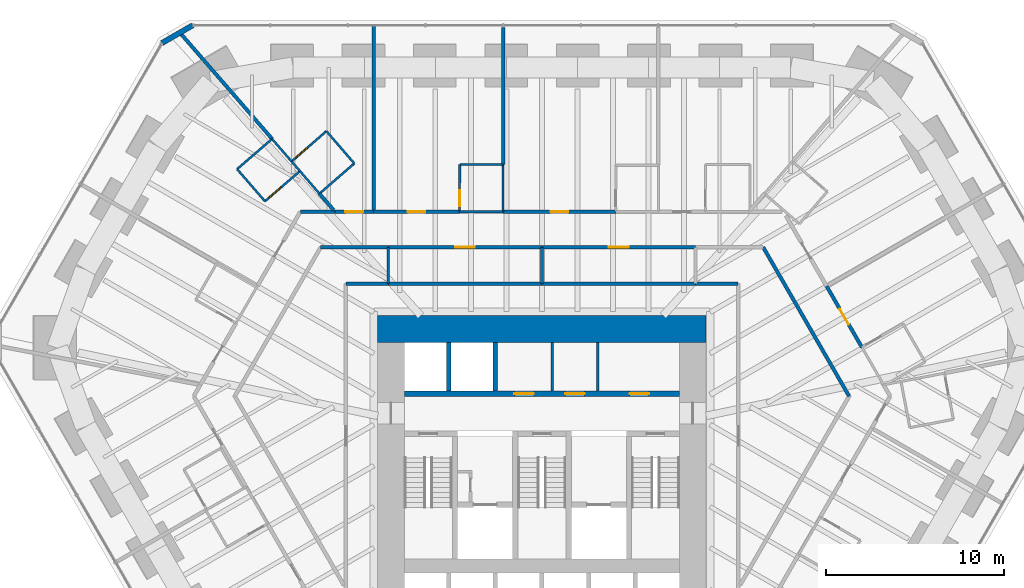
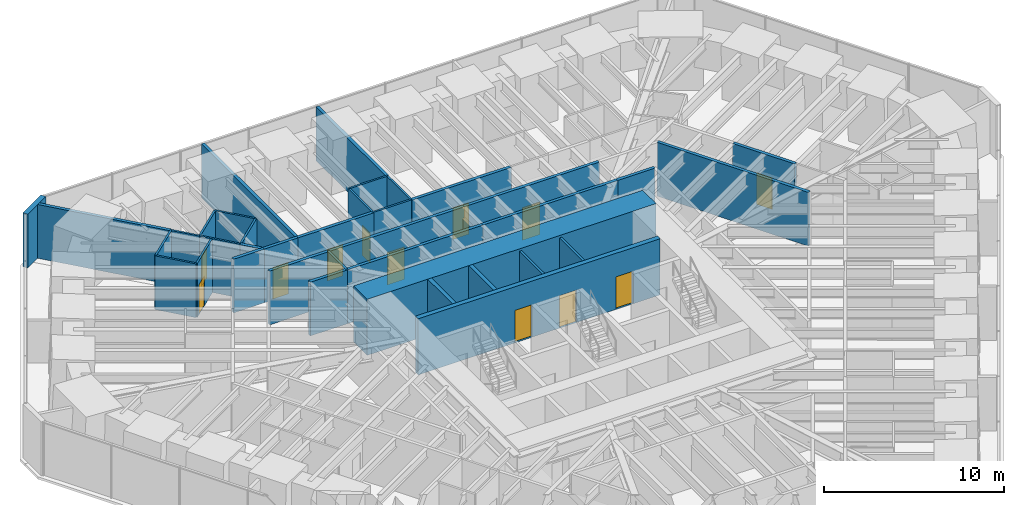
# One storey, part 14 of 17: 39 walls, 12 doors, 12 openings.
"""IFC4 building model written with IfcOpenShell, lengths in metres."""

from ifc_helpers import new_model, si_unit, direction, frame, frame_2d, origin, place, context, subcontext, project, spatial, rectangle, extrude, material, layer, layer_set, type_object, element, fill, save


model = new_model("IFC4")

# Units and contexts
model_context = context("Model", 3, precision=1e-05, world=origin(), true_north=direction((0.0, 1.0)))
body_context = subcontext(model_context, "Body", "Model", "MODEL_VIEW")
ifc_project = project(units=[si_unit("LENGTHUNIT", "METRE"), si_unit("AREAUNIT", "SQUARE_METRE"), si_unit("VOLUMEUNIT", "CUBIC_METRE"), si_unit("PLANEANGLEUNIT", "RADIAN"), si_unit("MASSUNIT", "GRAM", prefix="KILO")], contexts=[model_context])

# Site, building, storey
site_placement = place(None, origin())
site = spatial("IfcSite", under=ifc_project, at=site_placement, CompositionType="ELEMENT")
building_placement = place(site_placement, origin())
building = spatial("IfcBuilding", under=site, at=building_placement, Name="Sandreach Pilgrim Tower", CompositionType="ELEMENT")
storey_placement = place(building_placement, frame((0.0, 0.0, 83.800048828125)))
storey = spatial("IfcBuildingStorey", under=building, at=storey_placement, Name="L20", CompositionType="ELEMENT", Elevation=83.800048828125)

# Walls
ifc_material_1 = material(Name="Gypsum board on steel studs", Category="steel")
ifc_layer_1 = layer(ifc_material_1, 0.14990234375)
ifc_layer_set_1 = layer_set([ifc_layer_1], Name="Back of house wall 150")
wall_type_1 = type_object("IfcWallType", Name="Back of house wall 150", PredefinedType="PARTITIONING", material=ifc_layer_set_1)
wall_1_placement = place(storey_placement, frame((-8.64990234375, 11.449951171875, 0.0), z_axis=(0.0, 0.0, 1.0), x_axis=(0.0, -1.0, 0.0)))
element("IfcWall", 1, at=wall_1_placement, inside=storey, type_object=wall_type_1, Name="Back of house wall L20-053", PredefinedType="PARTITIONING", context=body_context, shape_type="SweptSolid", body=[
    extrude(rectangle(XDim=2.050048828125, YDim=0.14990234375, at=frame_2d((1.02490234375, 0.0))), origin(), (0.0, 0.0, 1.0), 3.639892578125),
])
wall_2_placement = place(storey_placement, frame((0.0, 11.449951171875, 0.0), z_axis=(0.0, 0.0, 1.0), x_axis=(0.0, -1.0, 0.0)))
element("IfcWall", 2, at=wall_2_placement, inside=storey, type_object=wall_type_1, Name="Back of house wall L20-077", PredefinedType="PARTITIONING", context=body_context, shape_type="SweptSolid", body=[
    extrude(rectangle(XDim=2.050048828125, YDim=0.14990234375, at=frame_2d((1.02490234375, 0.0))), origin(), (0.0, 0.0, 1.0), 2.8779296875),
])
for number, where, z_axis, x_axis, name in (
    (3, (0.574951171875, 3.35009765625, 0.0), (0.0, 0.0, 1.0), (0.0, 1.0, 0.0), "Core room partition L20 1"),
    (4, (3.137451171875, 3.35009765625, 0.0), (0.0, 0.0, 1.0), (0.0, 1.0, 0.0), "Core room partition L20 2"),
):
    element("IfcWall", number, at=place(storey_placement, frame(where, z_axis=z_axis, x_axis=x_axis)), inside=storey, type_object=wall_type_1, Name=name, PredefinedType="PARTITIONING", context=body_context, shape_type="SweptSolid", body=[
        extrude(rectangle(XDim=2.75, YDim=0.14990234375, at=frame_2d((1.375, 0.0))), origin(), (0.0, 0.0, 1.0), 3.639892578125),
    ])
ifc_material_2 = material(Name="Moisture-resistant gypsum board on steel studs", Category="steel")
ifc_layer_2 = layer(ifc_material_2, 0.1201171875)
ifc_layer_set_2 = layer_set([ifc_layer_2], Name="Bathroom partition 120")
wall_type_2 = type_object("IfcWallType", Name="Bathroom partition 120", PredefinedType="PARTITIONING", material=ifc_layer_set_2)
wall_3_placement = place(storey_placement, frame((-17.169921875, 15.85009765625, 0.0), z_axis=(0.0, 0.0, 1.0), x_axis=(0.655194291402, -0.755460416245, 0.0)))
element("IfcWall", 5, at=wall_3_placement, inside=storey, type_object=wall_type_2, Name="Bathroom partition L20-019", PredefinedType="PARTITIONING", context=body_context, shape_type="SweptSolid", body=[
    extrude(rectangle(XDim=2.39599609375, YDim=0.1201171875, at=frame_2d((1.197998046875, 0.0))), origin(), (0.0, 0.0, 1.0), 3.639892578125),
])

# Wall, opening, door
wall_4_placement = place(storey_placement, frame((-15.60009765625, 14.0400390625, 0.0), z_axis=(0.0, 0.0, 1.0), x_axis=(0.757126702698, 0.653268058351, 0.0)))
wall_4 = element("IfcWall", 6, at=wall_4_placement, inside=storey, type_object=wall_type_2, Name="Bathroom partition L20-024", PredefinedType="PARTITIONING", context=body_context, shape_type="SweptSolid", body=[
    extrude(rectangle(XDim=2.602294921875, YDim=0.1201171875, at=frame_2d((1.30126953125, 0.0))), origin(), (0.0, 0.0, 1.0), 3.639892578125),
])
opening_1_placement = place(wall_4_placement, frame((0.300048828125, 0.0, 0.0)))
opening_1 = element("IfcOpeningElement", 7, at=opening_1_placement, cuts=wall_4, Name="Opening D09-18B", PredefinedType="OPENING", context=body_context, shape_type="SweptSolid", body=[
    extrude(rectangle(XDim=0.89990234375, YDim=2.030029296875, at=frame_2d((0.449951171875, 1.01513671875))), frame((0.0, 0.06005859375, 0.0), z_axis=(0.0, -1.0, 0.0), x_axis=(1.0, 0.0, 0.0)), (0.0, 0.0, 1.0), 0.1201171875),
])
ifc_material_3 = material(Name="Timber door, steel frame", Category="steel")
door_type_1 = type_object("IfcDoorType", Name="Bathroom door", OperationType="SINGLE_SWING_LEFT", PredefinedType="DOOR", material=ifc_material_3)
door_1_placement = place(opening_1_placement, origin())
door_1 = element("IfcDoor", 8, at=door_1_placement, inside=storey, type_object=door_type_1, Name="Door 2018B", OperationType="SINGLE_SWING_LEFT", OverallHeight=2.030029296875, OverallWidth=0.89990234375, PredefinedType="DOOR", context=body_context, shape_type="SweptSolid", body=[
    extrude(rectangle(XDim=0.89990234375, YDim=2.030029296875, at=frame_2d((0.449951171875, 1.01513671875))), frame((0.0, 0.02490234375, 0.0), z_axis=(0.0, -1.0, 0.0), x_axis=(1.0, 0.0, 0.0)), (0.0, 0.0, 1.0), 0.050048828125),
])
fill(opening_1, door_1)

# Walls
wall_5_placement = place(storey_placement, frame((-15.199951171875, 17.550048828125, 0.0), z_axis=(0.0, 0.0, 1.0), x_axis=(-0.757086659925, -0.653314464377, 0.0)))
element("IfcWall", 9, at=wall_5_placement, inside=storey, type_object=wall_type_2, Name="Bathroom partition L20-026", PredefinedType="PARTITIONING", context=body_context, shape_type="SweptSolid", body=[
    extrude(rectangle(XDim=2.60205078125, YDim=0.1201171875, at=frame_2d((1.301025390625, 0.0))), origin(), (0.0, 0.0, 1.0), 3.639892578125),
])
wall_6_placement = place(storey_placement, frame((-15.199951171875, 17.550048828125, 0.0), z_axis=(0.0, 0.0, 1.0), x_axis=(0.654648343784, -0.755933559237, 0.0)))
element("IfcWall", 10, at=wall_6_placement, inside=storey, type_object=wall_type_2, Name="Bathroom partition L20-027", PredefinedType="PARTITIONING", context=body_context, shape_type="SweptSolid", body=[
    extrude(rectangle(XDim=1.68017578125, YDim=0.1201171875, at=frame_2d((0.840087890625, 0.0))), origin(), (0.0, 0.0, 1.0), 3.639892578125),
])
wall_7_placement = place(storey_placement, frame((-14.10009765625, 16.280029296875, 0.0), z_axis=(0.0, 0.0, 1.0), x_axis=(0.656668163725, -0.754179635597, 0.0)))
element("IfcWall", 11, at=wall_7_placement, inside=storey, type_object=wall_type_2, Name="Bathroom partition L20-031", PredefinedType="PARTITIONING", context=body_context, shape_type="SweptSolid", body=[
    extrude(rectangle(XDim=0.716064453125, YDim=0.1201171875, at=frame_2d((0.35791015625, 0.0))), origin(), (0.0, 0.0, 1.0), 3.639892578125),
])
wall_8_placement = place(storey_placement, frame((-13.630126953125, 15.739990234375, 0.0), z_axis=(0.0, 0.0, 1.0), x_axis=(0.654028355274, -0.756470032783, 0.0)))
element("IfcWall", 12, at=wall_8_placement, inside=storey, type_object=wall_type_2, Name="Bathroom partition L20-032", PredefinedType="PARTITIONING", context=body_context, shape_type="SweptSolid", body=[
    extrude(rectangle(XDim=1.68017578125, YDim=0.1201171875, at=frame_2d((0.840087890625, 0.0))), origin(), (0.0, 0.0, 1.0), 3.639892578125),
])
wall_9_placement = place(storey_placement, frame((-12.530029296875, 14.469970703125, 0.0), z_axis=(0.0, 0.0, 1.0), x_axis=(0.755437535555, 0.655220672655, 0.0)))
element("IfcWall", 13, at=wall_9_placement, inside=storey, type_object=wall_type_2, Name="Bathroom partition L20-037", PredefinedType="PARTITIONING", context=body_context, shape_type="SweptSolid", body=[
    extrude(rectangle(XDim=2.594482421875, YDim=0.1201171875, at=frame_2d((1.29736328125, 0.0))), origin(), (0.0, 0.0, 1.0), 3.639892578125),
])

# Wall, opening, door
wall_10_placement = place(storey_placement, frame((-12.139892578125, 17.989990234375, 0.0), z_axis=(0.0, 0.0, 1.0), x_axis=(-0.753570046386, -0.657367617996, 0.0)))
wall_10 = element("IfcWall", 14, at=wall_10_placement, inside=storey, type_object=wall_type_2, Name="Bathroom partition L20-040", PredefinedType="PARTITIONING", context=body_context, shape_type="SweptSolid", body=[
    extrude(rectangle(XDim=2.601318359375, YDim=0.1201171875, at=frame_2d((1.30078125, 0.0))), origin(), (0.0, 0.0, 1.0), 3.639892578125),
])
opening_2_placement = place(wall_10_placement, frame((1.401123046875, 0.0, 0.0)))
opening_2 = element("IfcOpeningElement", 15, at=opening_2_placement, cuts=wall_10, Name="Opening D09-01B", PredefinedType="OPENING", context=body_context, shape_type="SweptSolid", body=[
    extrude(rectangle(XDim=0.89990234375, YDim=2.030029296875, at=frame_2d((0.449951171875, 1.01513671875))), frame((0.0, 0.06005859375, 0.0), z_axis=(0.0, -1.0, 0.0), x_axis=(1.0, 0.0, 0.0)), (0.0, 0.0, 1.0), 0.1201171875),
])
door_2_placement = place(opening_2_placement, origin())
door_2 = element("IfcDoor", 16, at=door_2_placement, inside=storey, type_object=door_type_1, Name="Door 2001B", OperationType="SINGLE_SWING_RIGHT", OverallHeight=2.030029296875, OverallWidth=0.89990234375, PredefinedType="DOOR", context=body_context, shape_type="SweptSolid", body=[
    extrude(rectangle(XDim=0.89990234375, YDim=2.030029296875, at=frame_2d((0.449951171875, 1.01513671875))), frame((0.0, 0.02490234375, 0.0), z_axis=(0.0, -1.0, 0.0), x_axis=(1.0, 0.0, 0.0)), (0.0, 0.0, 1.0), 0.050048828125),
])
fill(opening_2, door_2)

# Wall
wall_11_placement = place(storey_placement, frame((-10.570068359375, 16.169921875, 0.0), z_axis=(0.0, 0.0, 1.0), x_axis=(-0.653130488449, 0.757245379687, 0.0)))
element("IfcWall", 17, at=wall_11_placement, inside=storey, type_object=wall_type_2, Name="Bathroom partition L20-047", PredefinedType="PARTITIONING", context=body_context, shape_type="SweptSolid", body=[
    extrude(rectangle(XDim=2.403564453125, YDim=0.1201171875, at=frame_2d((1.20166015625, 0.0))), origin(), (0.0, 0.0, 1.0), 3.639892578125),
])

# Wall, opening, door
wall_12_placement = place(storey_placement, frame((-4.6298828125, 16.110107421875, 0.0), z_axis=(0.0, 0.0, 1.0), x_axis=(-0.003762822113, -0.99999292056, 0.0)))
wall_12 = element("IfcWall", 18, at=wall_12_placement, inside=storey, type_object=wall_type_2, Name="Bathroom partition L20-059", PredefinedType="PARTITIONING", context=body_context, shape_type="SweptSolid", body=[
    extrude(rectangle(XDim=2.66015625, YDim=0.1201171875, at=frame_2d((1.330078125, 0.0))), origin(), (0.0, 0.0, 1.0), 3.639892578125),
])
opening_3_placement = place(wall_12_placement, frame((1.4599609375, 0.0, 0.0)))
opening_3 = element("IfcOpeningElement", 19, at=opening_3_placement, cuts=wall_12, Name="Opening D09-02B", PredefinedType="OPENING", context=body_context, shape_type="SweptSolid", body=[
    extrude(rectangle(XDim=0.89990234375, YDim=2.030029296875, at=frame_2d((0.449951171875, 1.01513671875))), frame((0.0, 0.06005859375, 0.0), z_axis=(0.0, -1.0, 0.0), x_axis=(1.0, 0.0, 0.0)), (0.0, 0.0, 1.0), 0.1201171875),
])
door_3_placement = place(opening_3_placement, origin())
door_3 = element("IfcDoor", 20, at=door_3_placement, inside=storey, type_object=door_type_1, Name="Door 2002B", OperationType="SINGLE_SWING_RIGHT", OverallHeight=2.030029296875, OverallWidth=0.89990234375, PredefinedType="DOOR", context=body_context, shape_type="SweptSolid", body=[
    extrude(rectangle(XDim=0.89990234375, YDim=2.030029296875, at=frame_2d((0.449951171875, 1.01513671875))), frame((0.0, 0.02490234375, 0.0), z_axis=(0.0, -1.0, 0.0), x_axis=(1.0, 0.0, 0.0)), (0.0, 0.0, 1.0), 0.050048828125),
])
fill(opening_3, door_3)

# Walls
wall_13_placement = place(storey_placement, frame((-2.18994140625, 13.449951171875, 0.0), z_axis=(0.0, 0.0, 1.0), x_axis=(-1.0, 0.0, 0.0)))
element("IfcWall", 21, at=wall_13_placement, inside=storey, type_object=wall_type_2, Name="Bathroom partition L20-065", PredefinedType="PARTITIONING", context=body_context, shape_type="SweptSolid", body=[
    extrude(rectangle(XDim=2.449951171875, YDim=0.1201171875, at=frame_2d((1.22509765625, 0.0))), origin(), (0.0, 0.0, 1.0), 3.639892578125),
])
wall_14_placement = place(storey_placement, frame((-2.18994140625, 16.10009765625, 0.0), z_axis=(0.0, 0.0, 1.0), x_axis=(-0.999991585011, 0.004102426955, 0.0)))
element("IfcWall", 22, at=wall_14_placement, inside=storey, type_object=wall_type_2, Name="Bathroom partition L20-066", PredefinedType="PARTITIONING", context=body_context, shape_type="SweptSolid", body=[
    extrude(rectangle(XDim=2.43994140625, YDim=0.1201171875, at=frame_2d((1.219970703125, 0.0))), origin(), (0.0, 0.0, 1.0), 3.639892578125),
])
wall_15_placement = place(storey_placement, frame((-2.18994140625, 16.10009765625, 0.0), z_axis=(0.0, 0.0, 1.0), x_axis=(0.0, -1.0, 0.0)))
element("IfcWall", 23, at=wall_15_placement, inside=storey, type_object=wall_type_2, Name="Bathroom partition L20-067", PredefinedType="PARTITIONING", context=body_context, shape_type="SweptSolid", body=[
    extrude(rectangle(XDim=2.650146484375, YDim=0.1201171875, at=frame_2d((1.3251953125, 0.0))), origin(), (0.0, 0.0, 1.0), 3.639892578125),
])

# Wall, openings, doors
ifc_material_4 = material(Name="Concrete 10000 psi", Category="concrete")
ifc_layer_3 = layer(ifc_material_4, 0.300048828125)
ifc_layer_set_3 = layer_set([ifc_layer_3], Name="Core inner wall 300")
wall_type_3 = type_object("IfcWallType", Name="Core inner wall 300", PredefinedType="SHEAR", material=ifc_layer_set_3)
wall_16_placement = place(storey_placement, frame((-7.75, 3.199951171875, 0.0), z_axis=(0.0, 0.0, 1.0), x_axis=(1.0, 0.0, 0.0)))
wall_16 = element("IfcWall", 24, at=wall_16_placement, inside=storey, type_object=wall_type_3, Name="Core wall PN L20", PredefinedType="SHEAR", context=body_context, shape_type="SweptSolid", body=[
    extrude(rectangle(XDim=15.5, YDim=0.300048828125, at=frame_2d((7.75, 0.0))), origin(), (0.0, 0.0, 1.0), 3.800048828125),
])
opening_4_placement = place(wall_16_placement, frame((6.199951171875, 0.0, 0.0)))
opening_4 = element("IfcOpeningElement", 25, at=opening_4_placement, cuts=wall_16, Name="Opening D11L", PredefinedType="OPENING", context=body_context, shape_type="SweptSolid", body=[
    extrude(rectangle(XDim=1.10009765625, YDim=2.199951171875, at=frame_2d((0.550048828125, 1.10009765625))), frame((0.0, 0.14990234375, 0.0), z_axis=(0.0, -1.0, 0.0), x_axis=(1.0, 0.0, 0.0)), (0.0, 0.0, 1.0), 0.300048828125),
])
opening_5_placement = place(wall_16_placement, frame((9.05615234375, 0.0, 0.0)))
opening_5 = element("IfcOpeningElement", 26, at=opening_5_placement, cuts=wall_16, Name="Opening D11L", PredefinedType="OPENING", context=body_context, shape_type="SweptSolid", body=[
    extrude(rectangle(XDim=1.10009765625, YDim=2.199951171875, at=frame_2d((0.550048828125, 1.10009765625))), frame((0.0, 0.14990234375, 0.0), z_axis=(0.0, -1.0, 0.0), x_axis=(1.0, 0.0, 0.0)), (0.0, 0.0, 1.0), 0.300048828125),
])
opening_6_placement = place(wall_16_placement, frame((12.68115234375, 0.0, 0.0)))
opening_6 = element("IfcOpeningElement", 27, at=opening_6_placement, cuts=wall_16, Name="Opening D11L", PredefinedType="OPENING", context=body_context, shape_type="SweptSolid", body=[
    extrude(rectangle(XDim=1.10009765625, YDim=2.199951171875, at=frame_2d((0.550048828125, 1.10009765625))), frame((0.0, 0.14990234375, 0.0), z_axis=(0.0, -1.0, 0.0), x_axis=(1.0, 0.0, 0.0)), (0.0, 0.0, 1.0), 0.300048828125),
])
ifc_material_5 = material(Name="Steel door and frame, smoke seals", Category="steel")
door_type_2 = type_object("IfcDoorType", Name="Core room door", OperationType="SINGLE_SWING_LEFT", PredefinedType="DOOR", material=ifc_material_5)
door_4_placement = place(opening_4_placement, origin())
door_4 = element("IfcDoor", 28, at=door_4_placement, inside=storey, type_object=door_type_2, Name="Door linen and housekeeping store 20K1", OperationType="SINGLE_SWING_LEFT", OverallHeight=2.199951171875, OverallWidth=1.10009765625, PredefinedType="DOOR", context=body_context, shape_type="SweptSolid", body=[
    extrude(rectangle(XDim=1.10009765625, YDim=2.199951171875, at=frame_2d((0.550048828125, 1.10009765625))), frame((0.0, 0.02490234375, 0.0), z_axis=(0.0, -1.0, 0.0), x_axis=(1.0, 0.0, 0.0)), (0.0, 0.0, 1.0), 0.050048828125),
])
fill(opening_4, door_4)
door_5_placement = place(opening_5_placement, origin())
door_5 = element("IfcDoor", 29, at=door_5_placement, inside=storey, type_object=door_type_2, Name="Door cleaners store 20K2", OperationType="SINGLE_SWING_RIGHT", OverallHeight=2.199951171875, OverallWidth=1.10009765625, PredefinedType="DOOR", context=body_context, shape_type="SweptSolid", body=[
    extrude(rectangle(XDim=1.10009765625, YDim=2.199951171875, at=frame_2d((0.550048828125, 1.10009765625))), frame((0.0, 0.02490234375, 0.0), z_axis=(0.0, -1.0, 0.0), x_axis=(1.0, 0.0, 0.0)), (0.0, 0.0, 1.0), 0.050048828125),
])
fill(opening_5, door_5)
door_6_placement = place(opening_6_placement, origin())
door_6 = element("IfcDoor", 30, at=door_6_placement, inside=storey, type_object=door_type_2, Name="Door storage room 20K3", OperationType="SINGLE_SWING_RIGHT", OverallHeight=2.199951171875, OverallWidth=1.10009765625, PredefinedType="DOOR", context=body_context, shape_type="SweptSolid", body=[
    extrude(rectangle(XDim=1.10009765625, YDim=2.199951171875, at=frame_2d((0.550048828125, 1.10009765625))), frame((0.0, 0.02490234375, 0.0), z_axis=(0.0, -1.0, 0.0), x_axis=(1.0, 0.0, 0.0)), (0.0, 0.0, 1.0), 0.050048828125),
])
fill(opening_6, door_6)

# Walls
ifc_material_6 = material(Name="Concrete 10000 psi", Category="concrete")
ifc_layer_4 = layer(ifc_material_6, 1.5)
ifc_layer_set_4 = layer_set([ifc_layer_4], Name="Core wall 1500")
wall_type_4 = type_object("IfcWallType", Name="Core wall 1500", PredefinedType="SHEAR", material=ifc_layer_set_4)
wall_17_placement = place(storey_placement, frame((-9.25, 6.85009765625, 0.0), z_axis=(0.0, 0.0, 1.0), x_axis=(1.0, 0.0, 0.0)))
element("IfcWall", 31, at=wall_17_placement, inside=storey, type_object=wall_type_4, Name="Core wall N L20", PredefinedType="SHEAR", context=body_context, shape_type="SweptSolid", body=[
    extrude(rectangle(XDim=18.5, YDim=1.5, at=frame_2d((9.25, 0.0))), origin(), (0.0, 0.0, 1.0), 3.800048828125),
])
ifc_material_7 = material(Name="Gypsum board on steel studs, two layers each side", Category="steel")
ifc_layer_5 = layer(ifc_material_7, 0.199951171875)
ifc_layer_set_5 = layer_set([ifc_layer_5], Name="Corridor wall 200")
wall_type_5 = type_object("IfcWallType", Name="Corridor wall 200", PredefinedType="PARTITIONING", material=ifc_layer_set_5)
wall_18_placement = place(storey_placement, frame((-12.4599609375, 11.449951171875, 0.0), z_axis=(0.0, 0.0, 1.0), x_axis=(1.0, 0.0, 0.0)))
element("IfcWall", 32, at=wall_18_placement, inside=storey, type_object=wall_type_5, Name="Corridor wall L20-038", PredefinedType="PARTITIONING", context=body_context, shape_type="SweptSolid", body=[
    extrude(rectangle(XDim=3.81005859375, YDim=0.199951171875, at=frame_2d((1.905029296875, 0.0))), origin(), (0.0, 0.0, 1.0), 3.639892578125),
])
wall_19_placement = place(storey_placement, frame((-11.64990234375, 13.449951171875, 0.0), z_axis=(0.0, 0.0, 1.0), x_axis=(-1.0, 0.0, 0.0)))
element("IfcWall", 33, at=wall_19_placement, inside=storey, type_object=wall_type_5, Name="Corridor wall L20-041", PredefinedType="PARTITIONING", context=body_context, shape_type="SweptSolid", body=[
    extrude(rectangle(XDim=1.960205078125, YDim=0.199951171875, at=frame_2d((0.97998046875, 0.0))), origin(), (0.0, 0.0, 1.0), 3.639892578125),
])

# Wall, opening, door
wall_20_placement = place(storey_placement, frame((-9.47998046875, 13.449951171875, 0.0), z_axis=(0.0, 0.0, 1.0), x_axis=(-1.0, 0.0, 0.0)))
wall_20 = element("IfcWall", 34, at=wall_20_placement, inside=storey, type_object=wall_type_5, Name="Corridor wall L20-049", PredefinedType="PARTITIONING", context=body_context, shape_type="SweptSolid", body=[
    extrude(rectangle(XDim=2.169921875, YDim=0.199951171875, at=frame_2d((1.0849609375, 0.0))), origin(), (0.0, 0.0, 1.0), 3.639892578125),
])
opening_7_placement = place(wall_20_placement, frame((0.5849609375, 0.0, 0.0)))
opening_7 = element("IfcOpeningElement", 35, at=opening_7_placement, cuts=wall_20, Name="Opening D10-01", PredefinedType="OPENING", context=body_context, shape_type="SweptSolid", body=[
    extrude(rectangle(XDim=1.0, YDim=2.1298828125, at=frame_2d((0.5, 1.06494140625))), frame((0.0, 0.10009765625, 0.0), z_axis=(0.0, -1.0, 0.0), x_axis=(1.0, 0.0, 0.0)), (0.0, 0.0, 1.0), 0.199951171875),
])
ifc_material_8 = material(Name="Steel door and frame", Category="steel")
door_type_3 = type_object("IfcDoorType", Name="Guest room entry door", OperationType="SINGLE_SWING_LEFT", PredefinedType="DOOR", material=ifc_material_8)
door_7_placement = place(opening_7_placement, origin())
door_7 = element("IfcDoor", 36, at=door_7_placement, inside=storey, type_object=door_type_3, Name="Door 2001", OperationType="SINGLE_SWING_LEFT", OverallHeight=2.1298828125, OverallWidth=1.0, PredefinedType="DOOR", context=body_context, shape_type="SweptSolid", body=[
    extrude(rectangle(XDim=1.0, YDim=2.1298828125, at=frame_2d((0.5, 1.06494140625))), frame((0.0, 0.02490234375, 0.0), z_axis=(0.0, -1.0, 0.0), x_axis=(1.0, 0.0, 0.0)), (0.0, 0.0, 1.0), 0.050048828125),
])
fill(opening_7, door_7)

# Wall
wall_21_placement = place(storey_placement, frame((-8.64990234375, 9.39990234375, 0.0), z_axis=(0.0, 0.0, 1.0), x_axis=(-1.0, 0.0, 0.0)))
element("IfcWall", 37, at=wall_21_placement, inside=storey, type_object=wall_type_5, Name="Corridor wall L20-052", PredefinedType="PARTITIONING", context=body_context, shape_type="SweptSolid", body=[
    extrude(rectangle(XDim=2.39013671875, YDim=0.199951171875, at=frame_2d((1.195068359375, 0.0))), origin(), (0.0, 0.0, 1.0), 3.639892578125),
])

# Wall, opening, door
wall_22_placement = place(storey_placement, frame((-8.64990234375, 11.449951171875, 0.0), z_axis=(0.0, 0.0, 1.0), x_axis=(1.0, 0.0, 0.0)))
wall_22 = element("IfcWall", 38, at=wall_22_placement, inside=storey, type_object=wall_type_5, Name="Corridor wall L20-054", PredefinedType="PARTITIONING", context=body_context, shape_type="SweptSolid", body=[
    extrude(rectangle(XDim=8.64990234375, YDim=0.199951171875, at=frame_2d((4.324951171875, 0.0))), origin(), (0.0, 0.0, 1.0), 3.639892578125),
])
opening_8_placement = place(wall_22_placement, frame((3.77490234375, 0.0, 0.0)))
opening_8 = element("IfcOpeningElement", 39, at=opening_8_placement, cuts=wall_22, Name="Opening D11H-M02", PredefinedType="OPENING", context=body_context, shape_type="SweptSolid", body=[
    extrude(rectangle(XDim=1.10009765625, YDim=2.199951171875, at=frame_2d((0.550048828125, 1.10009765625))), frame((0.0, 0.10009765625, 0.0), z_axis=(0.0, -1.0, 0.0), x_axis=(1.0, 0.0, 0.0)), (0.0, 0.0, 1.0), 0.199951171875),
])
ifc_material_9 = material(Name="Steel door and frame", Category="steel")
door_type_4 = type_object("IfcDoorType", Name="Back of house door", OperationType="SINGLE_SWING_LEFT", PredefinedType="DOOR", material=ifc_material_9)
door_8_placement = place(opening_8_placement, origin())
door_8 = element("IfcDoor", 40, at=door_8_placement, inside=storey, type_object=door_type_4, Name="Door 20M02", OperationType="SINGLE_SWING_LEFT", OverallHeight=2.199951171875, OverallWidth=1.10009765625, PredefinedType="DOOR", context=body_context, shape_type="SweptSolid", body=[
    extrude(rectangle(XDim=1.10009765625, YDim=2.199951171875, at=frame_2d((0.550048828125, 1.10009765625))), frame((0.0, 0.02490234375, 0.0), z_axis=(0.0, -1.0, 0.0), x_axis=(1.0, 0.0, 0.0)), (0.0, 0.0, 1.0), 0.050048828125),
])
fill(opening_8, door_8)

wall_23_placement = place(storey_placement, frame((-4.639892578125, 13.449951171875, 0.0), z_axis=(0.0, 0.0, 1.0), x_axis=(-1.0, 0.0, 0.0)))
wall_23 = element("IfcWall", 41, at=wall_23_placement, inside=storey, type_object=wall_type_5, Name="Corridor wall L20-058", PredefinedType="PARTITIONING", context=body_context, shape_type="SweptSolid", body=[
    extrude(rectangle(XDim=4.840087890625, YDim=0.199951171875, at=frame_2d((2.419921875, 0.0))), origin(), (0.0, 0.0, 1.0), 3.639892578125),
])
opening_9_placement = place(wall_23_placement, frame((1.919921875, 0.0, 0.0)))
opening_9 = element("IfcOpeningElement", 42, at=opening_9_placement, cuts=wall_23, Name="Opening D10-02", PredefinedType="OPENING", context=body_context, shape_type="SweptSolid", body=[
    extrude(rectangle(XDim=1.0, YDim=2.1298828125, at=frame_2d((0.5, 1.06494140625))), frame((0.0, 0.10009765625, 0.0), z_axis=(0.0, -1.0, 0.0), x_axis=(1.0, 0.0, 0.0)), (0.0, 0.0, 1.0), 0.199951171875),
])
door_9_placement = place(opening_9_placement, origin())
door_9 = element("IfcDoor", 43, at=door_9_placement, inside=storey, type_object=door_type_3, Name="Door 2002", OperationType="SINGLE_SWING_LEFT", OverallHeight=2.1298828125, OverallWidth=1.0, PredefinedType="DOOR", context=body_context, shape_type="SweptSolid", body=[
    extrude(rectangle(XDim=1.0, YDim=2.1298828125, at=frame_2d((0.5, 1.06494140625))), frame((0.0, 0.02490234375, 0.0), z_axis=(0.0, -1.0, 0.0), x_axis=(1.0, 0.0, 0.0)), (0.0, 0.0, 1.0), 0.050048828125),
])
fill(opening_9, door_9)

# Wall
wall_24_placement = place(storey_placement, frame((0.0, 9.39990234375, 0.0), z_axis=(0.0, 0.0, 1.0), x_axis=(-1.0, 0.0, 0.0)))
element("IfcWall", 44, at=wall_24_placement, inside=storey, type_object=wall_type_5, Name="Corridor wall L20-076", PredefinedType="PARTITIONING", context=body_context, shape_type="SweptSolid", body=[
    extrude(rectangle(XDim=8.64990234375, YDim=0.199951171875, at=frame_2d((4.324951171875, 0.0))), origin(), (0.0, 0.0, 1.0), 3.639892578125),
])

# Wall, opening, door
wall_25_placement = place(storey_placement, frame((0.0, 11.449951171875, 0.0), z_axis=(0.0, 0.0, 1.0), x_axis=(1.0, 0.0, 0.0)))
wall_25 = element("IfcWall", 45, at=wall_25_placement, inside=storey, type_object=wall_type_5, Name="Corridor wall L20-078", PredefinedType="PARTITIONING", context=body_context, shape_type="SweptSolid", body=[
    extrude(rectangle(XDim=8.64990234375, YDim=0.199951171875, at=frame_2d((4.324951171875, 0.0))), origin(), (0.0, 0.0, 1.0), 3.639892578125),
])
opening_10_placement = place(wall_25_placement, frame((3.77490234375, 0.0, 0.0)))
opening_10 = element("IfcOpeningElement", 46, at=opening_10_placement, cuts=wall_25, Name="Opening D11H-M03", PredefinedType="OPENING", context=body_context, shape_type="SweptSolid", body=[
    extrude(rectangle(XDim=1.10009765625, YDim=2.199951171875, at=frame_2d((0.550048828125, 1.10009765625))), frame((0.0, 0.10009765625, 0.0), z_axis=(0.0, -1.0, 0.0), x_axis=(1.0, 0.0, 0.0)), (0.0, 0.0, 1.0), 0.199951171875),
])
door_10_placement = place(opening_10_placement, origin())
door_10 = element("IfcDoor", 47, at=door_10_placement, inside=storey, type_object=door_type_4, Name="Door 20M03", OperationType="SINGLE_SWING_LEFT", OverallHeight=2.199951171875, OverallWidth=1.10009765625, PredefinedType="DOOR", context=body_context, shape_type="SweptSolid", body=[
    extrude(rectangle(XDim=1.10009765625, YDim=2.199951171875, at=frame_2d((0.550048828125, 1.10009765625))), frame((0.0, 0.02490234375, 0.0), z_axis=(0.0, -1.0, 0.0), x_axis=(1.0, 0.0, 0.0)), (0.0, 0.0, 1.0), 0.050048828125),
])
fill(opening_10, door_10)

wall_26_placement = place(storey_placement, frame((4.159912109375, 13.449951171875, 0.0), z_axis=(0.0, 0.0, 1.0), x_axis=(-1.0, 0.0, 0.0)))
wall_26 = element("IfcWall", 48, at=wall_26_placement, inside=storey, type_object=wall_type_5, Name="Corridor wall L20-084", PredefinedType="PARTITIONING", context=body_context, shape_type="SweptSolid", body=[
    extrude(rectangle(XDim=6.349853515625, YDim=0.199951171875, at=frame_2d((3.1748046875, 0.0))), origin(), (0.0, 0.0, 1.0), 3.639892578125),
])
opening_11_placement = place(wall_26_placement, frame((2.675048828125, 0.0, 0.0)))
opening_11 = element("IfcOpeningElement", 49, at=opening_11_placement, cuts=wall_26, Name="Opening D10-03", PredefinedType="OPENING", context=body_context, shape_type="SweptSolid", body=[
    extrude(rectangle(XDim=1.0, YDim=2.1298828125, at=frame_2d((0.5, 1.06494140625))), frame((0.0, 0.10009765625, 0.0), z_axis=(0.0, -1.0, 0.0), x_axis=(1.0, 0.0, 0.0)), (0.0, 0.0, 1.0), 0.199951171875),
])
door_11_placement = place(opening_11_placement, origin())
door_11 = element("IfcDoor", 50, at=door_11_placement, inside=storey, type_object=door_type_3, Name="Door 2003", OperationType="SINGLE_SWING_LEFT", OverallHeight=2.1298828125, OverallWidth=1.0, PredefinedType="DOOR", context=body_context, shape_type="SweptSolid", body=[
    extrude(rectangle(XDim=1.0, YDim=2.1298828125, at=frame_2d((0.5, 1.06494140625))), frame((0.0, 0.02490234375, 0.0), z_axis=(0.0, -1.0, 0.0), x_axis=(1.0, 0.0, 0.0)), (0.0, 0.0, 1.0), 0.050048828125),
])
fill(opening_11, door_11)

# Walls
wall_27_placement = place(storey_placement, frame((8.64990234375, 9.39990234375, 0.0), z_axis=(0.0, 0.0, 1.0), x_axis=(-1.0, 0.0, 0.0)))
element("IfcWall", 51, at=wall_27_placement, inside=storey, type_object=wall_type_5, Name="Corridor wall L20-102", PredefinedType="PARTITIONING", context=body_context, shape_type="SweptSolid", body=[
    extrude(rectangle(XDim=8.64990234375, YDim=0.199951171875, at=frame_2d((4.324951171875, 0.0))), origin(), (0.0, 0.0, 1.0), 3.639892578125),
])
wall_28_placement = place(storey_placement, frame((11.0400390625, 9.39990234375, 0.0), z_axis=(0.0, 0.0, 1.0), x_axis=(-1.0, 0.0, 0.0)))
element("IfcWall", 52, at=wall_28_placement, inside=storey, type_object=wall_type_5, Name="Corridor wall L20-111", PredefinedType="PARTITIONING", context=body_context, shape_type="SweptSolid", body=[
    extrude(rectangle(XDim=2.39013671875, YDim=0.199951171875, at=frame_2d((1.195068359375, 0.0))), origin(), (0.0, 0.0, 1.0), 3.639892578125),
])
wall_29_placement = place(storey_placement, frame((12.4599609375, 11.449951171875, 0.0), z_axis=(0.0, 0.0, 1.0), x_axis=(0.499704269421, -0.866196076603, 0.0)))
element("IfcWall", 53, at=wall_29_placement, inside=storey, type_object=wall_type_5, Name="Corridor wall L20-119", PredefinedType="PARTITIONING", context=body_context, shape_type="SweptSolid", body=[
    extrude(rectangle(XDim=9.685791015625, YDim=0.199951171875, at=frame_2d((4.8427734375, 0.0))), origin(), (0.0, 0.0, 1.0), 3.639892578125),
])

# Wall, opening, door
wall_30_placement = place(storey_placement, frame((16.030029296875, 9.260009765625, 0.0), z_axis=(0.0, 0.0, 1.0), x_axis=(0.500123041693, -0.865954353975, 0.0)))
wall_30 = element("IfcWall", 54, at=wall_30_placement, inside=storey, type_object=wall_type_5, Name="Corridor wall L20-130", PredefinedType="PARTITIONING", context=body_context, shape_type="SweptSolid", body=[
    extrude(rectangle(XDim=3.97412109375, YDim=0.199951171875, at=frame_2d((1.987060546875, 0.0))), origin(), (0.0, 0.0, 1.0), 3.639892578125),
])
opening_12_placement = place(wall_30_placement, frame((1.487060546875, 0.0, 0.0)))
opening_12 = element("IfcOpeningElement", 55, at=opening_12_placement, cuts=wall_30, Name="Opening D10-06", PredefinedType="OPENING", context=body_context, shape_type="SweptSolid", body=[
    extrude(rectangle(XDim=1.0, YDim=2.1298828125, at=frame_2d((0.5, 1.06494140625))), frame((0.0, 0.10009765625, 0.0), z_axis=(0.0, -1.0, 0.0), x_axis=(1.0, 0.0, 0.0)), (0.0, 0.0, 1.0), 0.199951171875),
])
door_12_placement = place(opening_12_placement, origin())
door_12 = element("IfcDoor", 56, at=door_12_placement, inside=storey, type_object=door_type_3, Name="Door 2006", OperationType="SINGLE_SWING_LEFT", OverallHeight=2.1298828125, OverallWidth=1.0, PredefinedType="DOOR", context=body_context, shape_type="SweptSolid", body=[
    extrude(rectangle(XDim=1.0, YDim=2.1298828125, at=frame_2d((0.5, 1.06494140625))), frame((0.0, 0.02490234375, 0.0), z_axis=(0.0, -1.0, 0.0), x_axis=(1.0, 0.0, 0.0)), (0.0, 0.0, 1.0), 0.050048828125),
])
fill(opening_12, door_12)

# Walls
ifc_material_10 = material(Name="Double steel stud acoustic wall, gypsum board", Category="steel")
ifc_layer_6 = layer(ifc_material_10, 0.199951171875)
ifc_layer_set_6 = layer_set([ifc_layer_6], Name="Party wall 200")
wall_type_6 = type_object("IfcWallType", Name="Party wall 200", PredefinedType="PARTITIONING", material=ifc_layer_set_6)
wall_31_placement = place(storey_placement, frame((-20.400390625, 23.54736328125, 0.0), z_axis=(0.0, 0.0, 1.0), x_axis=(0.655343769788, -0.755330750996, 0.0)))
element("IfcWall", 57, at=wall_31_placement, inside=storey, type_object=wall_type_6, Name="Party wall L20-004", PredefinedType="PARTITIONING", context=body_context, shape_type="SweptSolid", body=[
    extrude(rectangle(XDim=7.93798828125, YDim=0.199951171875, at=frame_2d((3.968994140625, 0.0))), origin(), (0.0, 0.0, 1.0), 3.639892578125),
])
wall_32_placement = place(storey_placement, frame((-12.53125, 14.468994140625, 0.0), z_axis=(0.0, 0.0, 1.0), x_axis=(0.654105410889, -0.756403405232, 0.0)))
element("IfcWall", 58, at=wall_32_placement, inside=storey, type_object=wall_type_6, Name="Party wall L20-036", PredefinedType="PARTITIONING", context=body_context, shape_type="SweptSolid", body=[
    extrude(rectangle(XDim=1.217041015625, YDim=0.199951171875, at=frame_2d((0.6083984375, 0.0))), origin(), (0.0, 0.0, 1.0), 3.639892578125),
])
wall_33_placement = place(storey_placement, frame((-9.47998046875, 23.919921875, 0.0), z_axis=(0.0, 0.0, 1.0), x_axis=(0.0, -1.0, 0.0)))
element("IfcWall", 59, at=wall_33_placement, inside=storey, type_object=wall_type_6, Name="Party wall L20-050", PredefinedType="PARTITIONING", context=body_context, shape_type="SweptSolid", body=[
    extrude(rectangle(XDim=10.4599609375, YDim=0.199951171875, at=frame_2d((5.22998046875, 0.0))), origin(), (0.0, 0.0, 1.0), 3.639892578125),
])
wall_34_placement = place(storey_placement, frame((-2.18994140625, 23.830078125, 0.0), z_axis=(0.0, 0.0, 1.0), x_axis=(0.0, -1.0, 0.0)))
element("IfcWall", 60, at=wall_34_placement, inside=storey, type_object=wall_type_6, Name="Party wall L20-068", PredefinedType="PARTITIONING", context=body_context, shape_type="SweptSolid", body=[
    extrude(rectangle(XDim=7.72998046875, YDim=0.199951171875, at=frame_2d((3.864990234375, 0.0))), origin(), (0.0, 0.0, 1.0), 3.639892578125),
])
ifc_material_11 = material(Name="Gypsum shaft wall on steel studs, two layers of shaft liner board", Category="steel")
ifc_layer_7 = layer(ifc_material_11, 0.25)
ifc_layer_set_7 = layer_set([ifc_layer_7], Name="Shaft partition 250")
wall_type_7 = type_object("IfcWallType", Name="Shaft partition 250", PredefinedType="PARTITIONING", material=ifc_layer_set_7)
for number, where, z_axis, x_axis, name in (
    (61, (-5.25, 3.35009765625, 0.0), (0.0, 0.0, 1.0), (0.0, 1.0, 0.0), "Shaft partition NS0 L20"),
    (62, (-2.625, 3.35009765625, 0.0), (0.0, 0.0, 1.0), (0.0, 1.0, 0.0), "Shaft partition NS1 L20"),
):
    element("IfcWall", number, at=place(storey_placement, frame(where, z_axis=z_axis, x_axis=x_axis)), inside=storey, type_object=wall_type_7, Name=name, PredefinedType="PARTITIONING", context=body_context, shape_type="SweptSolid", body=[
        extrude(rectangle(XDim=2.75, YDim=0.25, at=frame_2d((1.375, 0.0))), origin(), (0.0, 0.0, 1.0), 3.800048828125),
    ])
ifc_material_12 = material(Name="Terracotta rainscreen on concrete", Category="masonry")
ifc_layer_8 = layer(ifc_material_12, 0.300048828125)
ifc_layer_set_8 = layer_set([ifc_layer_8], Name="Terracotta chamfer pier")
wall_type_8 = type_object("IfcWallType", Name="Terracotta chamfer pier", PredefinedType="SOLIDWALL", material=ifc_layer_set_8)
wall_35_placement = place(storey_placement, frame((-21.404052734375, 22.94873046875, 0.0), z_axis=(0.0, 0.0, 1.0), x_axis=(0.866010750942, 0.50002537861, 0.0)))
element("IfcWall", 63, at=wall_35_placement, inside=storey, type_object=wall_type_8, Name="Chamfer pier L20 NW", PredefinedType="SOLIDWALL", context=body_context, shape_type="SweptSolid", body=[
    extrude(rectangle(XDim=2.0, YDim=0.300048828125, at=frame_2d((1.0, 0.0))), origin(), (0.0, 0.0, 1.0), 3.639892578125),
])

save(model, "model.ifc")
